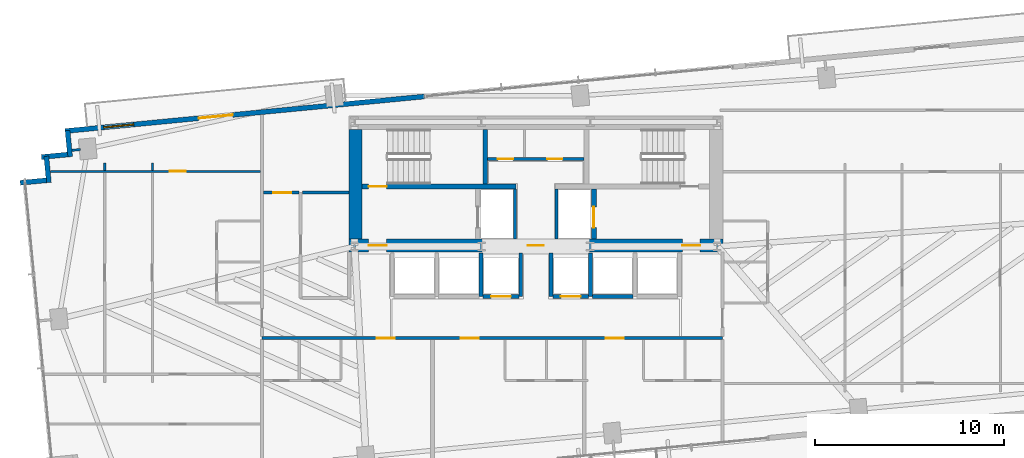
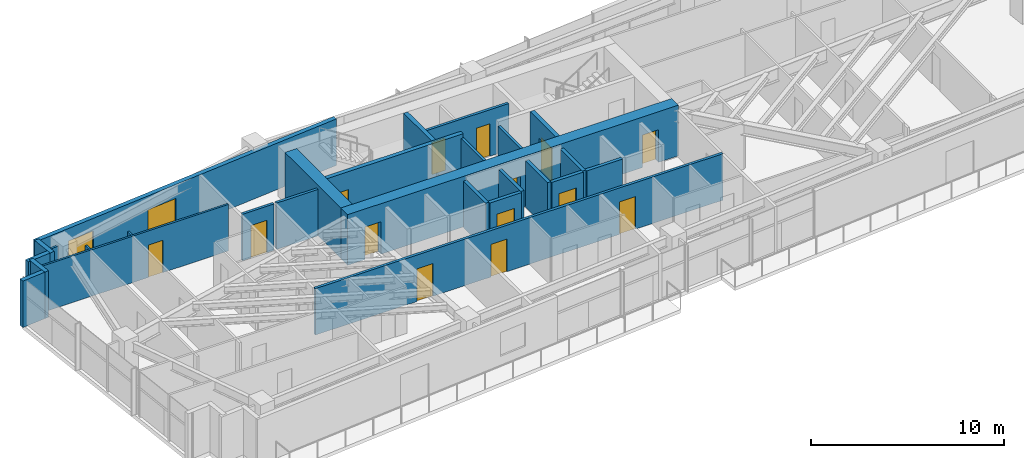
# One storey, part 20 of 25: 27 walls, 15 doors, 1 window, 16 openings.
"""IFC4 building model written with IfcOpenShell, lengths in metres."""

from ifc_helpers import new_model, si_unit, direction, frame, frame_2d, origin, place, context, subcontext, project, spatial, rectangle, extrude, source, transform, mapped, material, layer, layer_set, type_object, type_shapes, element, fill, save


model = new_model("IFC4")

# Units and contexts
model_context = context("Model", 3, precision=1e-05, world=origin(), true_north=direction((0.0, 1.0)))
body_context = subcontext(model_context, "Body", "Model", "MODEL_VIEW")
ifc_project = project(units=[si_unit("LENGTHUNIT", "METRE"), si_unit("AREAUNIT", "SQUARE_METRE"), si_unit("VOLUMEUNIT", "CUBIC_METRE"), si_unit("PLANEANGLEUNIT", "RADIAN"), si_unit("MASSUNIT", "GRAM", prefix="KILO")], contexts=[model_context])

# Site, building, storey
site_placement = place(None, origin())
site = spatial("IfcSite", under=ifc_project, at=site_placement, CompositionType="ELEMENT")
building_placement = place(site_placement, origin())
building = spatial("IfcBuilding", under=site, at=building_placement, Name="Astriad Promenade Condominiums", CompositionType="ELEMENT")
storey_placement = place(building_placement, frame((0.0, 0.0, 100.199951171875)))
storey = spatial("IfcBuildingStorey", under=building, at=storey_placement, Name="L28", CompositionType="ELEMENT", Elevation=100.199951171875)

# Wall, openings, doors
ifc_material_1 = material(Name="Concrete C60/75", Category="concrete")
ifc_layer_1 = layer(ifc_material_1, 0.699951171875)
ifc_layer_set_1 = layer_set([ifc_layer_1], Name="Concrete C60/75")
wall_type_1 = type_object("IfcWallType", Name="CW-SHEAR-700", PredefinedType="SHEAR", material=ifc_layer_set_1)
wall_1_placement = place(storey_placement, frame((26.10009765625, 17.449951171875, 0.0), z_axis=(0.0, 0.0, 1.0), x_axis=(1.0, 0.0, 0.0)))
wall_1 = element("IfcWall", 1, at=wall_1_placement, inside=storey, type_object=wall_type_1, Name="CW-CORE-S-L28", PredefinedType="SHEAR", context=body_context, shape_type="SweptSolid", body=[
    extrude(rectangle(XDim=19.7998046875, YDim=0.699951171875, at=frame_2d((9.89990234375, 0.0))), origin(), (0.0, 0.0, 1.0), 3.199951171875),
])
opening_1_placement = place(wall_1_placement, frame((1.050048828125, 0.0, 0.0)))
opening_1 = element("IfcOpeningElement", 2, at=opening_1_placement, cuts=wall_1, Name="Opening FD90-ST-095", PredefinedType="OPENING", context=body_context, shape_type="SweptSolid", body=[
    extrude(rectangle(XDim=0.949951171875, YDim=2.06005859375, at=frame_2d((0.47509765625, 1.030029296875))), frame((0.0, 0.35986328125, 0.0), z_axis=(0.0, -1.0, 0.0), x_axis=(1.0, 0.0, 0.0)), (0.0, 0.0, 1.0), 0.719970703125),
])
opening_2_placement = place(wall_1_placement, frame((9.47998046875, 0.0, 0.0)))
opening_2 = element("IfcOpeningElement", 3, at=opening_2_placement, cuts=wall_1, Name="Opening FD60-ULOW-085", PredefinedType="OPENING", context=body_context, shape_type="SweptSolid", body=[
    extrude(rectangle(XDim=0.85009765625, YDim=2.0, at=frame_2d((0.425048828125, 1.0))), frame((0.0, 0.35986328125, 0.0), z_axis=(0.0, -1.0, 0.0), x_axis=(1.0, 0.0, 0.0)), (0.0, 0.0, 1.0), 0.719970703125),
])
opening_3_placement = place(wall_1_placement, frame((17.64990234375, 0.0, 0.0)))
opening_3 = element("IfcOpeningElement", 4, at=opening_3_placement, cuts=wall_1, Name="Opening FD90-ST-095", PredefinedType="OPENING", context=body_context, shape_type="SweptSolid", body=[
    extrude(rectangle(XDim=0.949951171875, YDim=2.06005859375, at=frame_2d((0.47509765625, 1.030029296875))), frame((0.0, 0.35986328125, 0.0), z_axis=(0.0, -1.0, 0.0), x_axis=(1.0, 0.0, 0.0)), (0.0, 0.0, 1.0), 0.719970703125),
])
ifc_material_2 = material(Name="Fire-Rated Hollow Metal Stair Door")
door_type_1 = type_object("IfcDoorType", Name="FD90-ST-095", OperationType="NOTDEFINED", PredefinedType="DOOR", material=ifc_material_2)
shared_shape_1 = source(origin(), body_context, "Body", "SweptSolid", [
    extrude(rectangle(XDim=0.949951171875, YDim=2.06005859375, at=frame_2d((0.47509765625, 1.030029296875))), frame((0.0, 0.02490234375, 0.0), z_axis=(0.0, -1.0, 0.0), x_axis=(1.0, 0.0, 0.0)), (0.0, 0.0, 1.0), 0.050048828125),
])
type_shapes(door_type_1, [shared_shape_1])
door_1_placement = place(opening_1_placement, origin())
door_1 = element("IfcDoor", 5, at=door_1_placement, inside=storey, type_object=door_type_1, Name="D-FFW-L28", OperationType="SINGLE_SWING_LEFT", OverallHeight=2.06005859375, OverallWidth=0.949951171875, PredefinedType="DOOR", context=body_context, shape_type="MappedRepresentation", body=[
    mapped(shared_shape_1, transform((0.0, 0.0, 0.0), scale=1.0)),
])
fill(opening_1, door_1)
door_2_placement = place(opening_3_placement, origin())
door_2 = element("IfcDoor", 6, at=door_2_placement, inside=storey, type_object=door_type_1, Name="D-FFE-L28", OperationType="SINGLE_SWING_RIGHT", OverallHeight=2.06005859375, OverallWidth=0.949951171875, PredefinedType="DOOR", context=body_context, shape_type="MappedRepresentation", body=[
    mapped(shared_shape_1, transform((0.0, 0.0, 0.0), scale=1.0)),
])
fill(opening_3, door_2)
ifc_material_3 = material(Name="Solid-Core Low-Headroom Fire Door")
door_type_2 = type_object("IfcDoorType", Name="FD60-ULOW-085", OperationType="NOTDEFINED", PredefinedType="DOOR", material=ifc_material_3)
shared_shape_2 = source(origin(), body_context, "Body", "SweptSolid", [
    extrude(rectangle(XDim=0.85009765625, YDim=2.0, at=frame_2d((0.425048828125, 1.0))), frame((0.0, 0.02490234375, 0.0), z_axis=(0.0, -1.0, 0.0), x_axis=(1.0, 0.0, 0.0)), (0.0, 0.0, 1.0), 0.050048828125),
])
type_shapes(door_type_2, [shared_shape_2])
door_3_placement = place(opening_2_placement, origin())
door_3 = element("IfcDoor", 7, at=door_3_placement, inside=storey, type_object=door_type_2, Name="D-CSL-L28", OperationType="SINGLE_SWING_RIGHT", OverallHeight=2.0, OverallWidth=0.85009765625, PredefinedType="DOOR", context=body_context, shape_type="MappedRepresentation", body=[
    mapped(shared_shape_2, transform((0.0, 0.0, 0.0), scale=1.0)),
])
fill(opening_2, door_3)

# Wall
wall_2_placement = place(storey_placement, frame((26.449951171875, 17.802001953125, 0.0), z_axis=(0.0, 0.0, 1.0), x_axis=(0.0, 1.0, 0.0)))
element("IfcWall", 8, at=wall_2_placement, inside=storey, type_object=wall_type_1, Name="CW-CORE-W-L28", PredefinedType="SHEAR", context=body_context, shape_type="SweptSolid", body=[
    extrude(rectangle(XDim=5.7958984375, YDim=0.699951171875, at=frame_2d((2.89794921875, 0.0))), origin(), (0.0, 0.0, 1.0), 3.199951171875),
])

# Wall, opening, door
ifc_material_4 = material(Name="Concrete C50/60", Category="concrete")
ifc_layer_2 = layer(ifc_material_4, 0.25)
ifc_layer_set_2 = layer_set([ifc_layer_2], Name="Concrete C50/60")
wall_type_2 = type_object("IfcWallType", Name="WALL-CORE-INT-250", PredefinedType="SOLIDWALL", material=ifc_layer_set_2)
wall_3_placement = place(storey_placement, frame((26.802001953125, 20.574951171875, 0.0), z_axis=(0.0, 0.0, 1.0), x_axis=(1.0, 0.0, 0.0)))
wall_3 = element("IfcWall", 9, at=wall_3_placement, inside=storey, type_object=wall_type_2, Name="CW-INT-H1-L28", PredefinedType="SOLIDWALL", context=body_context, shape_type="SweptSolid", body=[
    extrude(rectangle(XDim=8.14794921875, YDim=0.25, at=frame_2d((4.073974609375, 0.0))), origin(), (0.0, 0.0, 1.0), 3.199951171875),
])
opening_4_placement = place(wall_3_placement, frame((0.347900390625, 0.0, 0.0)))
opening_4 = element("IfcOpeningElement", 10, at=opening_4_placement, cuts=wall_3, Name="Opening FD90-ST-095", PredefinedType="OPENING", context=body_context, shape_type="SweptSolid", body=[
    extrude(rectangle(XDim=0.949951171875, YDim=2.06005859375, at=frame_2d((0.47509765625, 1.030029296875))), frame((0.0, 0.135009765625, 0.0), z_axis=(0.0, -1.0, 0.0), x_axis=(1.0, 0.0, 0.0)), (0.0, 0.0, 1.0), 0.27001953125),
])
door_4_placement = place(opening_4_placement, origin())
door_4 = element("IfcDoor", 11, at=door_4_placement, inside=storey, type_object=door_type_1, Name="D-ST1-L28", OperationType="SINGLE_SWING_LEFT", OverallHeight=2.06005859375, OverallWidth=0.949951171875, PredefinedType="DOOR", context=body_context, shape_type="MappedRepresentation", body=[
    mapped(shared_shape_1, transform((0.0, 0.0, 0.0), scale=1.0)),
])
fill(opening_4, door_4)

# Wall
wall_4_placement = place(storey_placement, frame((33.324951171875, 20.701904296875, 0.0), z_axis=(0.0, 0.0, 1.0), x_axis=(0.0, 1.0, 0.0)))
element("IfcWall", 12, at=wall_4_placement, inside=storey, type_object=wall_type_2, Name="CW-ST1-E-L28", PredefinedType="SOLIDWALL", context=body_context, shape_type="SweptSolid", body=[
    extrude(rectangle(XDim=2.89599609375, YDim=0.25, at=frame_2d((1.447998046875, 0.0))), origin(), (0.0, 0.0, 1.0), 3.199951171875),
])

# Wall, opening, door
wall_5_placement = place(storey_placement, frame((39.074951171875, 17.802001953125, 0.0), z_axis=(0.0, 0.0, 1.0), x_axis=(0.0, 1.0, 0.0)))
wall_5 = element("IfcWall", 13, at=wall_5_placement, inside=storey, type_object=wall_type_2, Name="CW-FFL2-E-L28", PredefinedType="SOLIDWALL", context=body_context, shape_type="SweptSolid", body=[
    extrude(rectangle(XDim=2.64599609375, YDim=0.25, at=frame_2d((1.322998046875, 0.0))), origin(), (0.0, 0.0, 1.0), 3.199951171875),
])
opening_5_placement = place(wall_5_placement, frame((0.597900390625, 0.0, 0.0)))
opening_5 = element("IfcOpeningElement", 14, at=opening_5_placement, cuts=wall_5, Name="Opening LD-FFL-1122", PredefinedType="OPENING", context=body_context, shape_type="SweptSolid", body=[
    extrude(rectangle(XDim=1.10009765625, YDim=2.080078125, at=frame_2d((0.550048828125, 1.0400390625))), frame((0.0, 0.135009765625, 0.0), z_axis=(0.0, -1.0, 0.0), x_axis=(1.0, 0.0, 0.0)), (0.0, 0.0, 1.0), 0.27001953125),
])
ifc_material_5 = material(Name="Brushed Stainless Steel Fire Elevator Landing Door", Category="steel")
door_type_3 = type_object("IfcDoorType", Name="LD-FFL-1122", OperationType="NOTDEFINED", PredefinedType="DOOR", material=ifc_material_5)
shared_shape_3 = source(origin(), body_context, "Body", "SweptSolid", [
    extrude(rectangle(XDim=1.10009765625, YDim=2.080078125, at=frame_2d((0.550048828125, 1.0400390625))), frame((0.0, 0.02490234375, 0.0), z_axis=(0.0, -1.0, 0.0), x_axis=(1.0, 0.0, 0.0)), (0.0, 0.0, 1.0), 0.050048828125),
])
type_shapes(door_type_3, [shared_shape_3])
door_5_placement = place(opening_5_placement, origin())
door_5 = element("IfcDoor", 15, at=door_5_placement, inside=storey, type_object=door_type_3, Name="Elevator Landing Door FFL-2 (L28)", OperationType="SLIDING_TO_RIGHT", OverallHeight=2.080078125, OverallWidth=1.10009765625, PredefinedType="DOOR", context=body_context, shape_type="MappedRepresentation", body=[
    mapped(shared_shape_3, transform((0.0, 0.0, 0.0), scale=1.0)),
])
fill(opening_5, door_5)

# Walls
ifc_material_6 = material(Name="Fire-Rated Gypsum Partition")
ifc_layer_3 = layer(ifc_material_6, 0.159912109375)
ifc_layer_set_3 = layer_set([ifc_layer_3], Name="Fire-Rated Gypsum Partition")
wall_type_3 = type_object("IfcWallType", Name="WALL-CORR-160", PredefinedType="PARTITIONING", material=ifc_layer_set_3)
for number, where, z_axis, x_axis, name in (
    (16, (34.89990234375, 17.802001953125, 0.0), (0.0, 0.0, 1.0), (0.0, 1.0, 0.0), "CW-FFL1-E-L28"),
    (17, (37.10009765625, 17.802001953125, 0.0), (0.0, 0.0, 1.0), (0.0, 1.0, 0.0), "CW-FFL2-W-L28"),
):
    element("IfcWall", number, at=place(storey_placement, frame(where, z_axis=z_axis, x_axis=x_axis)), inside=storey, type_object=wall_type_3, Name=name, PredefinedType="PARTITIONING", context=body_context, shape_type="SweptSolid", body=[
        extrude(rectangle(XDim=2.64599609375, YDim=0.159912109375, at=frame_2d((1.322998046875, 0.0))), origin(), (0.0, 0.0, 1.0), 2.93994140625),
    ])

# Wall, openings, doors
wall_6_placement = place(storey_placement, frame((33.451904296875, 22.030029296875, 0.0), z_axis=(0.0, 0.0, 1.0), x_axis=(1.0, 0.0, 0.0)))
wall_6 = element("IfcWall", 18, at=wall_6_placement, inside=storey, type_object=wall_type_3, Name="CW-AUX-N-L28", PredefinedType="PARTITIONING", context=body_context, shape_type="SweptSolid", body=[
    extrude(rectangle(XDim=5.09619140625, YDim=0.159912109375, at=frame_2d((2.548095703125, 0.0))), origin(), (0.0, 0.0, 1.0), 2.93994140625),
])
opening_6_placement = place(wall_6_placement, frame((0.5380859375, 0.0, 0.0)))
opening_6 = element("IfcOpeningElement", 19, at=opening_6_placement, cuts=wall_6, Name="Opening FD60-SV-080", PredefinedType="OPENING", context=body_context, shape_type="SweptSolid", body=[
    extrude(rectangle(XDim=0.800048828125, YDim=2.050048828125, at=frame_2d((0.39990234375, 1.02490234375))), frame((0.0, 0.08984375, 0.0), z_axis=(0.0, -1.0, 0.0), x_axis=(1.0, 0.0, 0.0)), (0.0, 0.0, 1.0), 0.179931640625),
])
opening_7_placement = place(wall_6_placement, frame((3.157958984375, 0.0, 0.0)))
opening_7 = element("IfcOpeningElement", 20, at=opening_7_placement, cuts=wall_6, Name="Opening FD60-SV-080", PredefinedType="OPENING", context=body_context, shape_type="SweptSolid", body=[
    extrude(rectangle(XDim=0.800048828125, YDim=2.050048828125, at=frame_2d((0.39990234375, 1.02490234375))), frame((0.0, 0.08984375, 0.0), z_axis=(0.0, -1.0, 0.0), x_axis=(1.0, 0.0, 0.0)), (0.0, 0.0, 1.0), 0.179931640625),
])
ifc_material_7 = material(Name="Fire-Rated Riser Closet Door")
door_type_4 = type_object("IfcDoorType", Name="FD60-SV-080", OperationType="NOTDEFINED", PredefinedType="DOOR", material=ifc_material_7)
shared_shape_4 = source(origin(), body_context, "Body", "SweptSolid", [
    extrude(rectangle(XDim=0.800048828125, YDim=2.050048828125, at=frame_2d((0.39990234375, 1.02490234375))), frame((0.0, 0.02490234375, 0.0), z_axis=(0.0, -1.0, 0.0), x_axis=(1.0, 0.0, 0.0)), (0.0, 0.0, 1.0), 0.050048828125),
])
type_shapes(door_type_4, [shared_shape_4])
door_6_placement = place(opening_6_placement, origin())
door_6 = element("IfcDoor", 21, at=door_6_placement, inside=storey, type_object=door_type_4, Name="D-AUX1-L28", OperationType="SINGLE_SWING_LEFT", OverallHeight=2.050048828125, OverallWidth=0.800048828125, PredefinedType="DOOR", context=body_context, shape_type="MappedRepresentation", body=[
    mapped(shared_shape_4, transform((0.0, 0.0, 0.0), scale=1.0)),
])
fill(opening_6, door_6)
door_7_placement = place(opening_7_placement, origin())
door_7 = element("IfcDoor", 22, at=door_7_placement, inside=storey, type_object=door_type_4, Name="D-AUX2-L28", OperationType="SINGLE_SWING_RIGHT", OverallHeight=2.050048828125, OverallWidth=0.800048828125, PredefinedType="DOOR", context=body_context, shape_type="MappedRepresentation", body=[
    mapped(shared_shape_4, transform((0.0, 0.0, 0.0), scale=1.0)),
])
fill(opening_7, door_7)

wall_7_placement = place(storey_placement, frame((21.5, 12.550048828125, 0.0), z_axis=(0.0, 0.0, 1.0), x_axis=(1.0, 0.0, 0.0)))
wall_7 = element("IfcWall", 23, at=wall_7_placement, inside=storey, type_object=wall_type_3, Name="PT-COR-S-L28", PredefinedType="PARTITIONING", context=body_context, shape_type="SweptSolid", body=[
    extrude(rectangle(XDim=24.3798828125, YDim=0.159912109375, at=frame_2d((12.18994140625, 0.0))), origin(), (0.0, 0.0, 1.0), 2.93994140625),
])
opening_8_placement = place(wall_7_placement, frame((6.074951171875, 0.0, 0.0)))
opening_8 = element("IfcOpeningElement", 24, at=opening_8_placement, cuts=wall_7, Name="Opening FD60-APT-095", PredefinedType="OPENING", context=body_context, shape_type="SweptSolid", body=[
    extrude(rectangle(XDim=0.949951171875, YDim=2.06005859375, at=frame_2d((0.47509765625, 1.030029296875))), frame((0.0, 0.08984375, 0.0), z_axis=(0.0, -1.0, 0.0), x_axis=(1.0, 0.0, 0.0)), (0.0, 0.0, 1.0), 0.179931640625),
])
opening_9_placement = place(wall_7_placement, frame((10.51904296875, 0.0, 0.0)))
opening_9 = element("IfcOpeningElement", 25, at=opening_9_placement, cuts=wall_7, Name="Opening FD60-APT-095", PredefinedType="OPENING", context=body_context, shape_type="SweptSolid", body=[
    extrude(rectangle(XDim=0.949951171875, YDim=2.06005859375, at=frame_2d((0.47509765625, 1.030029296875))), frame((0.0, 0.08984375, 0.0), z_axis=(0.0, -1.0, 0.0), x_axis=(1.0, 0.0, 0.0)), (0.0, 0.0, 1.0), 0.179931640625),
])
opening_10_placement = place(wall_7_placement, frame((18.2080078125, 0.0, 0.0)))
opening_10 = element("IfcOpeningElement", 26, at=opening_10_placement, cuts=wall_7, Name="Opening FD60-APT-095", PredefinedType="OPENING", context=body_context, shape_type="SweptSolid", body=[
    extrude(rectangle(XDim=0.949951171875, YDim=2.06005859375, at=frame_2d((0.47509765625, 1.030029296875))), frame((0.0, 0.08984375, 0.0), z_axis=(0.0, -1.0, 0.0), x_axis=(1.0, 0.0, 0.0)), (0.0, 0.0, 1.0), 0.179931640625),
])
ifc_material_8 = material(Name="Solid-Core Acoustic Timber Residence Entry Door", Category="wood")
door_type_5 = type_object("IfcDoorType", Name="FD60-APT-095", OperationType="NOTDEFINED", PredefinedType="DOOR", material=ifc_material_8)
shared_shape_5 = source(origin(), body_context, "Body", "SweptSolid", [
    extrude(rectangle(XDim=0.949951171875, YDim=2.06005859375, at=frame_2d((0.47509765625, 1.030029296875))), frame((0.0, 0.02490234375, 0.0), z_axis=(0.0, -1.0, 0.0), x_axis=(1.0, 0.0, 0.0)), (0.0, 0.0, 1.0), 0.050048828125),
])
type_shapes(door_type_5, [shared_shape_5])
door_8_placement = place(opening_8_placement, origin())
door_8 = element("IfcDoor", 27, at=door_8_placement, inside=storey, type_object=door_type_5, Name="D-ENT-L28-S1", OperationType="SINGLE_SWING_LEFT", OverallHeight=2.06005859375, OverallWidth=0.949951171875, PredefinedType="DOOR", context=body_context, shape_type="MappedRepresentation", body=[
    mapped(shared_shape_5, transform((0.0, 0.0, 0.0), scale=1.0)),
])
fill(opening_8, door_8)
door_9_placement = place(opening_9_placement, origin())
door_9 = element("IfcDoor", 28, at=door_9_placement, inside=storey, type_object=door_type_5, Name="D-ENT-L28-S2", OperationType="SINGLE_SWING_RIGHT", OverallHeight=2.06005859375, OverallWidth=0.949951171875, PredefinedType="DOOR", context=body_context, shape_type="MappedRepresentation", body=[
    mapped(shared_shape_5, transform((0.0, 0.0, 0.0), scale=1.0)),
])
fill(opening_9, door_9)
door_10_placement = place(opening_10_placement, origin())
door_10 = element("IfcDoor", 29, at=door_10_placement, inside=storey, type_object=door_type_5, Name="D-ENT-L28-S3", OperationType="SINGLE_SWING_LEFT", OverallHeight=2.06005859375, OverallWidth=0.949951171875, PredefinedType="DOOR", context=body_context, shape_type="MappedRepresentation", body=[
    mapped(shared_shape_5, transform((0.0, 0.0, 0.0), scale=1.0)),
])
fill(opening_10, door_10)

# Wall, opening, door
wall_8_placement = place(storey_placement, frame((21.58203125, 20.25, 0.0), z_axis=(0.0, 0.0, 1.0), x_axis=(1.0, 0.0, 0.0)))
wall_8 = element("IfcWall", 30, at=wall_8_placement, inside=storey, type_object=wall_type_3, Name="PT-HK-N-L28", PredefinedType="PARTITIONING", context=body_context, shape_type="SweptSolid", body=[
    extrude(rectangle(XDim=1.885986328125, YDim=0.159912109375, at=frame_2d((0.94287109375, 0.0))), origin(), (0.0, 0.0, 1.0), 2.93994140625),
])
opening_11_placement = place(wall_8_placement, frame((0.508056640625, 0.0, 0.0)))
opening_11 = element("IfcOpeningElement", 31, at=opening_11_placement, cuts=wall_8, Name="Opening FD60-APT-095", PredefinedType="OPENING", context=body_context, shape_type="SweptSolid", body=[
    extrude(rectangle(XDim=0.949951171875, YDim=2.06005859375, at=frame_2d((0.47509765625, 1.030029296875))), frame((0.0, 0.08984375, 0.0), z_axis=(0.0, -1.0, 0.0), x_axis=(1.0, 0.0, 0.0)), (0.0, 0.0, 1.0), 0.179931640625),
])
door_11_placement = place(opening_11_placement, origin())
door_11 = element("IfcDoor", 32, at=door_11_placement, inside=storey, type_object=door_type_5, Name="D-HKB-L28", OperationType="SINGLE_SWING_RIGHT", OverallHeight=2.06005859375, OverallWidth=0.949951171875, PredefinedType="DOOR", context=body_context, shape_type="MappedRepresentation", body=[
    mapped(shared_shape_5, transform((0.0, 0.0, 0.0), scale=1.0)),
])
fill(opening_11, door_11)

# Walls
wall_9_placement = place(storey_placement, frame((23.632080078125, 20.25, 0.0), z_axis=(0.0, 0.0, 1.0), x_axis=(1.0, 0.0, 0.0)))
element("IfcWall", 33, at=wall_9_placement, inside=storey, type_object=wall_type_3, Name="PT-HK-N-L28-S2", PredefinedType="PARTITIONING", context=body_context, shape_type="SweptSolid", body=[
    extrude(rectangle(XDim=2.4658203125, YDim=0.159912109375, at=frame_2d((1.23291015625, 0.0))), origin(), (0.0, 0.0, 1.0), 2.93994140625),
])
ifc_material_9 = material(Name="Precast concrete C50/60", Category="concrete")
ifc_layer_4 = layer(ifc_material_9, 0.260009765625)
ifc_layer_set_4 = layer_set([ifc_layer_4], Name="Precast concrete C50/60")
wall_type_4 = type_object("IfcWallType", Name="WALL-EXT-TWR-260", PredefinedType="STANDARD", material=ifc_layer_set_4)
for number, where, z_axis, x_axis, name in (
    (34, (8.701416015625, 20.767333984375, 0.0), (0.0, 0.0, 1.0), (0.995391056452, 0.09589913835, 0.0), "W-SER-L28-04"),
    (35, (10.216796875, 20.78271484375, 0.0), (0.0, 0.0, 1.0), (-0.095725744959, 0.99540774648, 0.0), "W-SER-L28-05"),
):
    element("IfcWall", number, at=place(storey_placement, frame(where, z_axis=z_axis, x_axis=x_axis)), inside=storey, type_object=wall_type_4, Name=name, PredefinedType="STANDARD", context=body_context, shape_type="SweptSolid", body=[
        extrude(rectangle(XDim=1.39501953125, YDim=0.260009765625, at=frame_2d((0.697509765625, 0.0))), origin(), (0.0, 0.0, 1.0), 2.93994140625),
    ])
wall_10_placement = place(storey_placement, frame((9.825927734375, 22.13134765625, 0.0), z_axis=(0.0, 0.0, 1.0), x_axis=(0.995389446633, 0.095915846097, 0.0)))
element("IfcWall", 36, at=wall_10_placement, inside=storey, type_object=wall_type_4, Name="W-SER-L28-06", PredefinedType="STANDARD", context=body_context, shape_type="SweptSolid", body=[
    extrude(rectangle(XDim=1.394775390625, YDim=0.260009765625, at=frame_2d((0.697265625, 0.0))), origin(), (0.0, 0.0, 1.0), 2.93994140625),
])
wall_11_placement = place(storey_placement, frame((11.34130859375, 22.146728515625, 0.0), z_axis=(0.0, 0.0, 1.0), x_axis=(-0.09589913835, 0.995391056452, 0.0)))
element("IfcWall", 37, at=wall_11_placement, inside=storey, type_object=wall_type_4, Name="W-SER-L28-07", PredefinedType="STANDARD", context=body_context, shape_type="SweptSolid", body=[
    extrude(rectangle(XDim=1.39501953125, YDim=0.260009765625, at=frame_2d((0.697509765625, 0.0))), origin(), (0.0, 0.0, 1.0), 2.93994140625),
])

# Wall, openings, door, window
wall_12_placement = place(storey_placement, frame((11.07958984375, 23.508056640625, 0.0), z_axis=(0.0, 0.0, 1.0), x_axis=(0.995396638587, 0.095841180552, 0.0)))
wall_12 = element("IfcWall", 38, at=wall_12_placement, inside=storey, type_object=wall_type_4, Name="W-EXT-L28-N1", PredefinedType="STANDARD", context=body_context, shape_type="SweptSolid", body=[
    extrude(rectangle(XDim=19.110107421875, YDim=0.260009765625, at=frame_2d((9.55517578125, 0.0))), origin(), (0.0, 0.0, 1.0), 2.93994140625),
])
opening_12_placement = place(wall_12_placement, frame((7.10693359375, 0.0, 0.0)))
opening_12 = element("IfcOpeningElement", 39, at=opening_12_placement, cuts=wall_12, Name="Opening BD-1822-SLD", PredefinedType="OPENING", context=body_context, shape_type="SweptSolid", body=[
    extrude(rectangle(XDim=1.800048828125, YDim=2.06005859375, at=frame_2d((0.89990234375, 1.030029296875))), frame((0.0, 0.139892578125, 0.0), z_axis=(0.0, -1.0, 0.0), x_axis=(1.0, 0.0, 0.0)), (0.0, 0.0, 1.0), 0.280029296875),
])
opening_13_placement = place(wall_12_placement, frame((2.050048828125, 0.0, 0.64990234375)))
opening_13 = element("IfcOpeningElement", 40, at=opening_13_placement, cuts=wall_12, Name="Opening WIN-TWR-1620", PredefinedType="OPENING", context=body_context, shape_type="SweptSolid", body=[
    extrude(rectangle(XDim=1.60009765625, YDim=1.5, at=frame_2d((0.800048828125, 0.75))), frame((0.0, 0.139892578125, 0.0), z_axis=(0.0, -1.0, 0.0), x_axis=(1.0, 0.0, 0.0)), (0.0, 0.0, 1.0), 0.280029296875),
])
ifc_material_10 = material(Name="Thermally Broken Aluminium Sliding Balcony Door", Category="aluminium")
door_type_6 = type_object("IfcDoorType", Name="BD-1822-SLD", OperationType="NOTDEFINED", PredefinedType="DOOR", material=ifc_material_10)
shared_shape_6 = source(origin(), body_context, "Body", "SweptSolid", [
    extrude(rectangle(XDim=1.800048828125, YDim=2.06005859375, at=frame_2d((0.89990234375, 1.030029296875))), frame((0.0, 0.02490234375, 0.0), z_axis=(0.0, -1.0, 0.0), x_axis=(1.0, 0.0, 0.0)), (0.0, 0.0, 1.0), 0.050048828125),
])
type_shapes(door_type_6, [shared_shape_6])
door_12_placement = place(opening_12_placement, origin())
door_12 = element("IfcDoor", 41, at=door_12_placement, inside=storey, type_object=door_type_6, Name="BD-L28-NW", OperationType="SLIDING_TO_LEFT", OverallHeight=2.06005859375, OverallWidth=1.800048828125, PredefinedType="DOOR", context=body_context, shape_type="MappedRepresentation", body=[
    mapped(shared_shape_6, transform((0.0, 0.0, 0.0), scale=1.0)),
])
fill(opening_12, door_12)
ifc_material_11 = material(Name="Dark Tinted Triple-Glazed Aluminium Window", Category="aluminium")
window_type = type_object("IfcWindowType", Name="WIN-TWR-1620", PartitioningType="SINGLE_PANEL", PredefinedType="WINDOW", material=ifc_material_11)
shared_shape_7 = source(origin(), body_context, "Body", "SweptSolid", [
    extrude(rectangle(XDim=1.60009765625, YDim=1.5, at=frame_2d((0.800048828125, 0.75))), frame((0.0, 0.030029296875, 0.0), z_axis=(0.0, -1.0, 0.0), x_axis=(1.0, 0.0, 0.0)), (0.0, 0.0, 1.0), 0.06005859375),
])
type_shapes(window_type, [shared_shape_7])
window_placement = place(opening_13_placement, origin())
window = element("IfcWindow", 42, at=window_placement, inside=storey, type_object=window_type, Name="WIN-L28-NW", OverallHeight=1.5, OverallWidth=1.60009765625, PartitioningType="SINGLE_PANEL", PredefinedType="WINDOW", context=body_context, shape_type="MappedRepresentation", body=[
    mapped(shared_shape_7, transform((0.0, 0.0, 0.0), scale=1.0)),
])
fill(opening_13, window)

# Wall, opening, door
ifc_material_12 = material(Name="Acoustic Metal-Stud Gypsum Partition")
ifc_layer_5 = layer(ifc_material_12, 0.1201171875)
ifc_layer_set_5 = layer_set([ifc_layer_5], Name="Acoustic Metal-Stud Gypsum Partition")
wall_type_5 = type_object("IfcWallType", Name="WALL-PART-120", PredefinedType="PARTITIONING", material=ifc_layer_set_5)
wall_13_placement = place(storey_placement, frame((10.29296875, 21.37109375, 0.0), z_axis=(0.0, 0.0, 1.0), x_axis=(1.0, 0.0, 0.0)))
wall_13 = element("IfcWall", 43, at=wall_13_placement, inside=storey, type_object=wall_type_5, Name="PT-L28-W1-WDN2", PredefinedType="PARTITIONING", context=body_context, shape_type="SweptSolid", body=[
    extrude(rectangle(XDim=11.125, YDim=0.1201171875, at=frame_2d((5.5625, 0.0))), origin(), (0.0, 0.0, 1.0), 2.93994140625),
])
opening_14_placement = place(wall_13_placement, frame((6.330078125, 0.0, 0.0)))
opening_14 = element("IfcOpeningElement", 44, at=opening_14_placement, cuts=wall_13, Name="Opening D-INT-085", PredefinedType="OPENING", context=body_context, shape_type="SweptSolid", body=[
    extrude(rectangle(XDim=0.85009765625, YDim=2.050048828125, at=frame_2d((0.425048828125, 1.02490234375))), frame((0.0, 0.070068359375, 0.0), z_axis=(0.0, -1.0, 0.0), x_axis=(1.0, 0.0, 0.0)), (0.0, 0.0, 1.0), 0.14013671875),
])
ifc_material_13 = material(Name="Painted Solid-Core Timber Room Door", Category="wood")
door_type_7 = type_object("IfcDoorType", Name="D-INT-085", OperationType="NOTDEFINED", PredefinedType="DOOR", material=ifc_material_13)
shared_shape_8 = source(origin(), body_context, "Body", "SweptSolid", [
    extrude(rectangle(XDim=0.85009765625, YDim=2.050048828125, at=frame_2d((0.425048828125, 1.02490234375))), frame((0.0, 0.02490234375, 0.0), z_axis=(0.0, -1.0, 0.0), x_axis=(1.0, 0.0, 0.0)), (0.0, 0.0, 1.0), 0.050048828125),
])
type_shapes(door_type_7, [shared_shape_8])
door_13_placement = place(opening_14_placement, origin())
door_13 = element("IfcDoor", 45, at=door_13_placement, inside=storey, type_object=door_type_7, Name="D-WDN2-L28-W1", OperationType="SINGLE_SWING_RIGHT", OverallHeight=2.050048828125, OverallWidth=0.85009765625, PredefinedType="DOOR", context=body_context, shape_type="MappedRepresentation", body=[
    mapped(shared_shape_8, transform((0.0, 0.0, 0.0), scale=1.0)),
])
fill(opening_14, door_13)

# Walls
for number, where, z_axis, x_axis, name in (
    (46, (13.175048828125, 21.43310546875, 0.0), (0.0, 0.0, 1.0), (0.0, 1.0, 0.0), "PT-L28-W1-WDV4-S3"),
    (47, (15.697998046875, 21.43310546875, 0.0), (0.0, 0.0, 1.0), (0.0, 1.0, 0.0), "PT-L28-W1-WDV5-S3"),
):
    element("IfcWall", number, at=place(storey_placement, frame(where, z_axis=z_axis, x_axis=x_axis)), inside=storey, type_object=wall_type_5, Name=name, PredefinedType="PARTITIONING", context=body_context, shape_type="SweptSolid", body=[
        extrude(rectangle(XDim=0.3779296875, YDim=0.1201171875, at=frame_2d((0.18896484375, 0.0))), origin(), (0.0, 0.0, 1.0), 2.93994140625),
    ])
wall_14_placement = place(storey_placement, frame((11.89697265625, 22.53173828125, 0.0), z_axis=(0.0, 0.0, 1.0), x_axis=(-0.995384576284, -0.09596637586, 0.0)))
element("IfcWall", 48, at=wall_14_placement, inside=storey, type_object=wall_type_5, Name="PT-PIL-L28-PC06-13", PredefinedType="PARTITIONING", context=body_context, shape_type="SweptSolid", body=[
    extrude(rectangle(XDim=0.4580078125, YDim=0.1201171875, at=frame_2d((0.22900390625, 0.0))), origin(), (0.0, 0.0, 1.0), 2.93994140625),
])
ifc_material_14 = material(Name="Gypsum Shaftliner Assembly")
ifc_layer_6 = layer(ifc_material_14, 0.199951171875)
ifc_layer_set_6 = layer_set([ifc_layer_6], Name="Gypsum Shaftliner Assembly")
wall_type_6 = type_object("IfcWallType", Name="WALL-SHAFT-200", PredefinedType="PARTITIONING", material=ifc_layer_set_6)
for number, where, z_axis, x_axis, name in (
    (49, (33.10009765625, 14.75, 0.0), (0.0, 0.0, 1.0), (0.0, 1.0, 0.0), "PL-LM-DIV-L28"),
    (50, (35.199951171875, 14.75, 0.0), (0.0, 0.0, 1.0), (0.0, 1.0, 0.0), "PL-M1-E-L28"),
):
    element("IfcWall", number, at=place(storey_placement, frame(where, z_axis=z_axis, x_axis=x_axis)), inside=storey, type_object=wall_type_6, Name=name, PredefinedType="PARTITIONING", context=body_context, shape_type="SweptSolid", body=[
        extrude(rectangle(XDim=2.300048828125, YDim=0.199951171875, at=frame_2d((1.14990234375, 0.0))), origin(), (0.0, 0.0, 1.0), 2.93994140625),
    ])

# Wall, opening, door
wall_15_placement = place(storey_placement, frame((33.201904296875, 14.75, 0.0), z_axis=(0.0, 0.0, 1.0), x_axis=(1.0, 0.0, 0.0)))
wall_15 = element("IfcWall", 51, at=wall_15_placement, inside=storey, type_object=wall_type_6, Name="PL-M1-F-L28", PredefinedType="PARTITIONING", context=body_context, shape_type="SweptSolid", body=[
    extrude(rectangle(XDim=1.89599609375, YDim=0.199951171875, at=frame_2d((0.947998046875, 0.0))), origin(), (0.0, 0.0, 1.0), 2.93994140625),
])
opening_15_placement = place(wall_15_placement, frame((0.423095703125, 0.0, 0.0)))
opening_15 = element("IfcOpeningElement", 52, at=opening_15_placement, cuts=wall_15, Name="Opening LD-PL-10522", PredefinedType="OPENING", context=body_context, shape_type="SweptSolid", body=[
    extrude(rectangle(XDim=1.050048828125, YDim=2.080078125, at=frame_2d((0.52490234375, 1.0400390625))), frame((0.0, 0.10986328125, 0.0), z_axis=(0.0, -1.0, 0.0), x_axis=(1.0, 0.0, 0.0)), (0.0, 0.0, 1.0), 0.219970703125),
])
ifc_material_15 = material(Name="Brushed Bronze Passenger Elevator Landing Door")
door_type_8 = type_object("IfcDoorType", Name="LD-PL-10522", OperationType="NOTDEFINED", PredefinedType="DOOR", material=ifc_material_15)
shared_shape_9 = source(origin(), body_context, "Body", "SweptSolid", [
    extrude(rectangle(XDim=1.050048828125, YDim=2.080078125, at=frame_2d((0.52490234375, 1.0400390625))), frame((0.0, 0.02490234375, 0.0), z_axis=(0.0, -1.0, 0.0), x_axis=(1.0, 0.0, 0.0)), (0.0, 0.0, 1.0), 0.050048828125),
])
type_shapes(door_type_8, [shared_shape_9])
door_14_placement = place(opening_15_placement, origin())
door_14 = element("IfcDoor", 53, at=door_14_placement, inside=storey, type_object=door_type_8, Name="Elevator Landing Door PL-M1 (L28)", OperationType="SLIDING_TO_LEFT", OverallHeight=2.080078125, OverallWidth=1.050048828125, PredefinedType="DOOR", context=body_context, shape_type="MappedRepresentation", body=[
    mapped(shared_shape_9, transform((0.0, 0.0, 0.0), scale=1.0)),
])
fill(opening_15, door_14)

# Walls
for number, where, z_axis, x_axis, name in (
    (54, (36.800048828125, 14.75, 0.0), (0.0, 0.0, 1.0), (0.0, 1.0, 0.0), "PL-M2-W-L28"),
    (55, (38.89990234375, 14.75, 0.0), (0.0, 0.0, 1.0), (0.0, 1.0, 0.0), "PL-MH-DIV-L28"),
):
    element("IfcWall", number, at=place(storey_placement, frame(where, z_axis=z_axis, x_axis=x_axis)), inside=storey, type_object=wall_type_6, Name=name, PredefinedType="PARTITIONING", context=body_context, shape_type="SweptSolid", body=[
        extrude(rectangle(XDim=2.300048828125, YDim=0.199951171875, at=frame_2d((1.14990234375, 0.0))), origin(), (0.0, 0.0, 1.0), 2.93994140625),
    ])

# Wall, opening, door
wall_16_placement = place(storey_placement, frame((36.902099609375, 14.75, 0.0), z_axis=(0.0, 0.0, 1.0), x_axis=(1.0, 0.0, 0.0)))
wall_16 = element("IfcWall", 56, at=wall_16_placement, inside=storey, type_object=wall_type_6, Name="PL-M2-F-L28", PredefinedType="PARTITIONING", context=body_context, shape_type="SweptSolid", body=[
    extrude(rectangle(XDim=1.89599609375, YDim=0.199951171875, at=frame_2d((0.947998046875, 0.0))), origin(), (0.0, 0.0, 1.0), 2.93994140625),
])
opening_16_placement = place(wall_16_placement, frame((0.423095703125, 0.0, 0.0)))
opening_16 = element("IfcOpeningElement", 57, at=opening_16_placement, cuts=wall_16, Name="Opening LD-PL-10522", PredefinedType="OPENING", context=body_context, shape_type="SweptSolid", body=[
    extrude(rectangle(XDim=1.050048828125, YDim=2.080078125, at=frame_2d((0.52490234375, 1.0400390625))), frame((0.0, 0.10986328125, 0.0), z_axis=(0.0, -1.0, 0.0), x_axis=(1.0, 0.0, 0.0)), (0.0, 0.0, 1.0), 0.219970703125),
])
door_15_placement = place(opening_16_placement, origin())
door_15 = element("IfcDoor", 58, at=door_15_placement, inside=storey, type_object=door_type_8, Name="Elevator Landing Door PL-M2 (L28)", OperationType="SLIDING_TO_RIGHT", OverallHeight=2.080078125, OverallWidth=1.050048828125, PredefinedType="DOOR", context=body_context, shape_type="MappedRepresentation", body=[
    mapped(shared_shape_9, transform((0.0, 0.0, 0.0), scale=1.0)),
])
fill(opening_16, door_15)

# Wall
wall_17_placement = place(storey_placement, frame((39.001953125, 14.75, 0.0), z_axis=(0.0, 0.0, 1.0), x_axis=(1.0, 0.0, 0.0)))
element("IfcWall", 59, at=wall_17_placement, inside=storey, type_object=wall_type_6, Name="PL-H-FRT-L28", PredefinedType="PARTITIONING", context=body_context, shape_type="SweptSolid", body=[
    extrude(rectangle(XDim=2.14599609375, YDim=0.199951171875, at=frame_2d((1.072998046875, 0.0))), origin(), (0.0, 0.0, 1.0), 2.93994140625),
])

save(model, "model.ifc")
